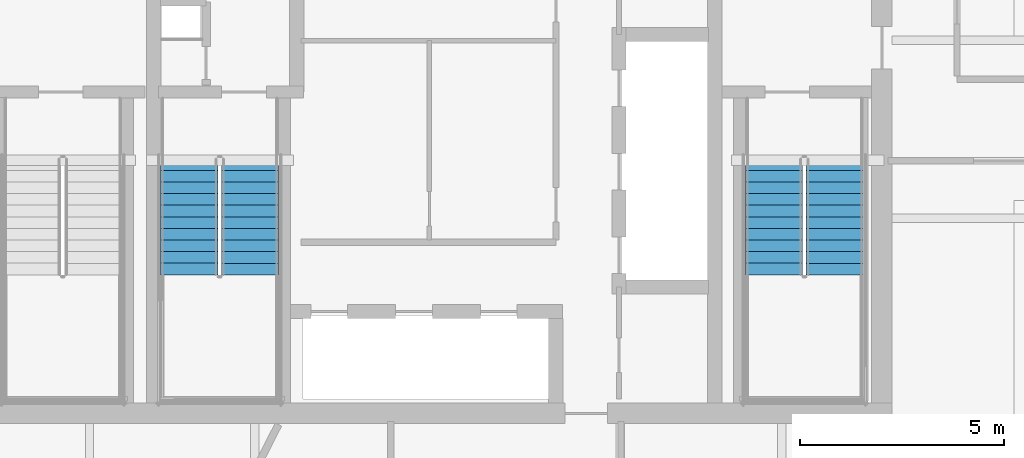
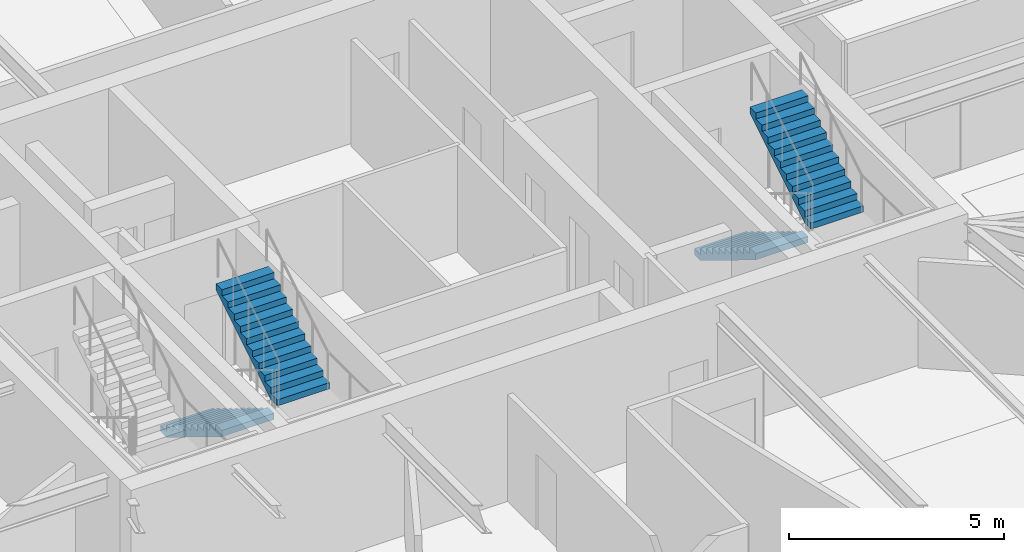
# One storey, part 20 of 25: 4 stair flights, 2 elements without a shape of their own.
"""IFC4 building model written with IfcOpenShell, lengths in metres."""

from ifc_helpers import new_model, si_unit, direction, frame, origin, place, context, subcontext, project, spatial, polyline, outline, extrude, material, type_object, element, aggregate, save


model = new_model("IFC4")

# Units and contexts
model_context = context("Model", 3, precision=1e-05, world=origin(), true_north=direction((0.0, 1.0)))
body_context = subcontext(model_context, "Body", "Model", "MODEL_VIEW")
ifc_project = project(units=[si_unit("LENGTHUNIT", "METRE"), si_unit("AREAUNIT", "SQUARE_METRE"), si_unit("VOLUMEUNIT", "CUBIC_METRE"), si_unit("PLANEANGLEUNIT", "RADIAN"), si_unit("MASSUNIT", "GRAM", prefix="KILO")], contexts=[model_context])

# Site, building, storey
site_placement = place(None, origin())
site = spatial("IfcSite", under=ifc_project, at=site_placement, CompositionType="ELEMENT")
building_placement = place(site_placement, origin())
building = spatial("IfcBuilding", under=site, at=building_placement, Name="Bramvorn Convention Spire", CompositionType="ELEMENT")
storey_placement = place(building_placement, frame((0.0, 0.0, 171.199951171875)))
storey = spatial("IfcBuildingStorey", under=building, at=storey_placement, Name="L43", CompositionType="ELEMENT", Elevation=171.199951171875)

# Stair, stair flights
ifc_material_1 = material(Name="Concrete C40/50 Precast Stair", Category="concrete")
stair_type = type_object("IfcStairType", Name="ST-TOWER-1550", PredefinedType="HALF_TURN_STAIR", material=ifc_material_1)
stair_1_placement = place(storey_placement, origin())
stair_1 = element("IfcStair", 1, at=stair_1_placement, inside=storey, type_object=stair_type, Name="L43 Protected Exit Stair ST2", PredefinedType="HALF_TURN_STAIR")
ifc_material_2 = material(Name="Concrete C40/50 Precast Stair Flight", Category="concrete")
stair_flight_type = type_object("IfcStairFlightType", Name="STF-TOWER-1550", PredefinedType="STRAIGHT", material=ifc_material_2)
stair_flight_1_placement = place(storey_placement, frame((46.35498046875, 25.050048828125, 0.0), z_axis=(0.0, 0.0, 1.0), x_axis=(0.0, -1.0, 0.0)))
stair_flight_1 = element("IfcStairFlight", 2, at=stair_flight_1_placement, type_object=stair_flight_type, Name="ST2 flight 1", NumberOfRisers=11, NumberOfTreads=10, PredefinedType="STRAIGHT", RiserHeight=0.175, TreadLength=0.285, context=body_context, shape_type="SweptSolid", body=[
    extrude(outline(polyline([(0.0, 0.0), (0.0, 0.175048828125), (0.284912109375, 0.175048828125), (0.284912109375, 0.35009765625), (0.570068359375, 0.35009765625), (0.570068359375, 0.52490234375), (0.85498046875, 0.52490234375), (0.85498046875, 0.699951171875), (1.139892578125, 0.699951171875), (1.139892578125, 0.875), (1.425048828125, 0.875), (1.425048828125, 1.050048828125), (1.7099609375, 1.050048828125), (1.7099609375, 1.22509765625), (1.9951171875, 1.22509765625), (1.9951171875, 1.39990234375), (2.280029296875, 1.39990234375), (2.280029296875, 1.574951171875), (2.56494140625, 1.574951171875), (2.56494140625, 1.75), (2.85009765625, 1.75), (2.85009765625, 1.925048828125), (2.85009765625, 1.573974609375), (0.286376953125, 0.0), (0.0, 0.0)])), frame((0.0, 0.705078125, 0.0), z_axis=(0.0, -1.0, 0.0), x_axis=(1.0, 0.0, 0.0)), (0.0, 0.0, 1.0), 1.409912109375),
])
stair_flight_2_placement = place(storey_placement, frame((47.844970703125, 22.199951171875, 1.925048828125), z_axis=(0.0, 0.0, 1.0), x_axis=(0.0, 1.0, 0.0)))
stair_flight_2 = element("IfcStairFlight", 3, at=stair_flight_2_placement, type_object=stair_flight_type, Name="ST2 flight 2", NumberOfRisers=11, NumberOfTreads=10, PredefinedType="STRAIGHT", RiserHeight=0.175, TreadLength=0.285, context=body_context, shape_type="SweptSolid", body=[
    extrude(outline(polyline([(0.0, 0.0), (0.0, 0.175048828125), (0.284912109375, 0.175048828125), (0.284912109375, 0.35009765625), (0.570068359375, 0.35009765625), (0.570068359375, 0.52490234375), (0.85498046875, 0.52490234375), (0.85498046875, 0.699951171875), (1.139892578125, 0.699951171875), (1.139892578125, 0.875), (1.425048828125, 0.875), (1.425048828125, 1.050048828125), (1.7099609375, 1.050048828125), (1.7099609375, 1.22509765625), (1.9951171875, 1.22509765625), (1.9951171875, 1.39990234375), (2.280029296875, 1.39990234375), (2.280029296875, 1.574951171875), (2.56494140625, 1.574951171875), (2.56494140625, 1.75), (2.85009765625, 1.75), (2.85009765625, 1.925048828125), (2.85009765625, 1.573974609375), (0.286376953125, 0.0), (0.0, 0.0)])), frame((0.0, 0.705078125, 0.0), z_axis=(0.0, -1.0, 0.0), x_axis=(1.0, 0.0, 0.0)), (0.0, 0.0, 1.0), 1.409912109375),
])
aggregate(stair_1, [stair_flight_1, stair_flight_2])

stair_2_placement = place(storey_placement, origin())
stair_2 = element("IfcStair", 4, at=stair_2_placement, inside=storey, type_object=stair_type, Name="L43 Protected Exit Stair ST3", PredefinedType="HALF_TURN_STAIR")
stair_flight_3_placement = place(storey_placement, frame((32.0048828125, 25.050048828125, 0.0), z_axis=(0.0, 0.0, 1.0), x_axis=(0.0, -1.0, 0.0)))
stair_flight_3 = element("IfcStairFlight", 5, at=stair_flight_3_placement, type_object=stair_flight_type, Name="ST3 flight 1", NumberOfRisers=11, NumberOfTreads=10, PredefinedType="STRAIGHT", RiserHeight=0.175, TreadLength=0.285, context=body_context, shape_type="SweptSolid", body=[
    extrude(outline(polyline([(0.0, 0.0), (0.0, 0.175048828125), (0.284912109375, 0.175048828125), (0.284912109375, 0.35009765625), (0.570068359375, 0.35009765625), (0.570068359375, 0.52490234375), (0.85498046875, 0.52490234375), (0.85498046875, 0.699951171875), (1.139892578125, 0.699951171875), (1.139892578125, 0.875), (1.425048828125, 0.875), (1.425048828125, 1.050048828125), (1.7099609375, 1.050048828125), (1.7099609375, 1.22509765625), (1.9951171875, 1.22509765625), (1.9951171875, 1.39990234375), (2.280029296875, 1.39990234375), (2.280029296875, 1.574951171875), (2.56494140625, 1.574951171875), (2.56494140625, 1.75), (2.85009765625, 1.75), (2.85009765625, 1.925048828125), (2.85009765625, 1.573974609375), (0.286376953125, 0.0), (0.0, 0.0)])), frame((0.0, 0.705078125, 0.0), z_axis=(0.0, -1.0, 0.0), x_axis=(1.0, 0.0, 0.0)), (0.0, 0.0, 1.0), 1.409912109375),
])
stair_flight_4_placement = place(storey_placement, frame((33.4951171875, 22.199951171875, 1.925048828125), z_axis=(0.0, 0.0, 1.0), x_axis=(0.0, 1.0, 0.0)))
stair_flight_4 = element("IfcStairFlight", 6, at=stair_flight_4_placement, type_object=stair_flight_type, Name="ST3 flight 2", NumberOfRisers=11, NumberOfTreads=10, PredefinedType="STRAIGHT", RiserHeight=0.175, TreadLength=0.285, context=body_context, shape_type="SweptSolid", body=[
    extrude(outline(polyline([(0.0, 0.0), (0.0, 0.175048828125), (0.284912109375, 0.175048828125), (0.284912109375, 0.35009765625), (0.570068359375, 0.35009765625), (0.570068359375, 0.52490234375), (0.85498046875, 0.52490234375), (0.85498046875, 0.699951171875), (1.139892578125, 0.699951171875), (1.139892578125, 0.875), (1.425048828125, 0.875), (1.425048828125, 1.050048828125), (1.7099609375, 1.050048828125), (1.7099609375, 1.22509765625), (1.9951171875, 1.22509765625), (1.9951171875, 1.39990234375), (2.280029296875, 1.39990234375), (2.280029296875, 1.574951171875), (2.56494140625, 1.574951171875), (2.56494140625, 1.75), (2.85009765625, 1.75), (2.85009765625, 1.925048828125), (2.85009765625, 1.573974609375), (0.286376953125, 0.0), (0.0, 0.0)])), frame((0.0, 0.705078125, 0.0), z_axis=(0.0, -1.0, 0.0), x_axis=(1.0, 0.0, 0.0)), (0.0, 0.0, 1.0), 1.409912109375),
])
aggregate(stair_2, [stair_flight_3, stair_flight_4])

save(model, "model.ifc")
